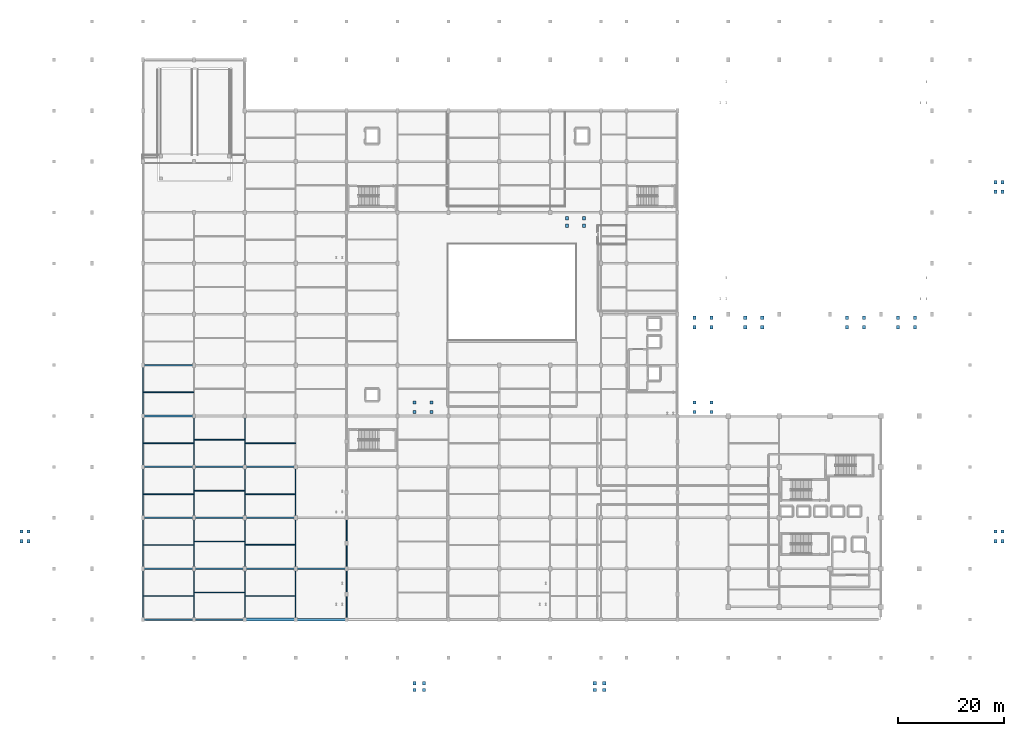
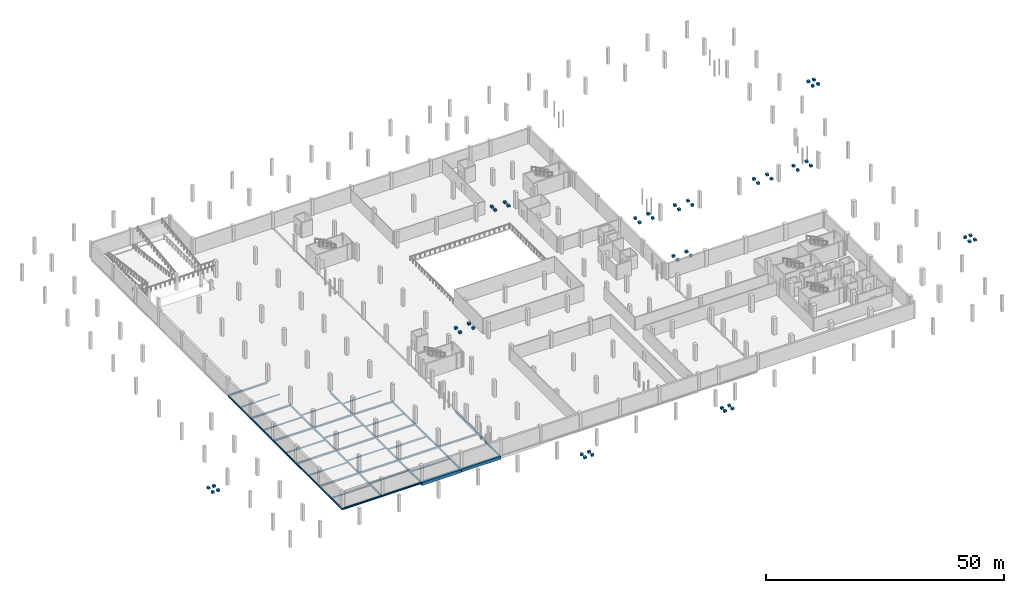
# One storey, part 25 of 47: 49 beams, 48 columns.
"""IFC4 building model written with IfcOpenShell, lengths in metres."""

from ifc_helpers import new_model, si_unit, direction, frame, origin, origin_2d, place, context, subcontext, project, spatial, rectangle, i_section, extrude, material, material_profile, profile_set, type_object, element, save


model = new_model("IFC4")

# Units and contexts
model_context = context("Model", 3, precision=1e-05, world=origin(), true_north=direction((0.0, 1.0)))
body_context = subcontext(model_context, "Body", "Model", "MODEL_VIEW")
ifc_project = project(units=[si_unit("LENGTHUNIT", "METRE"), si_unit("AREAUNIT", "SQUARE_METRE"), si_unit("VOLUMEUNIT", "CUBIC_METRE"), si_unit("PLANEANGLEUNIT", "RADIAN"), si_unit("MASSUNIT", "GRAM", prefix="KILO")], contexts=[model_context])

# Site, building, storey
site_placement = place(None, origin())
site = spatial("IfcSite", under=ifc_project, at=site_placement, CompositionType="ELEMENT")
building_placement = place(site_placement, origin())
building = spatial("IfcBuilding", under=site, at=building_placement, Name="Zevrakil Square Congress Hotel", CompositionType="ELEMENT")
storey_placement = place(building_placement, frame((0.0, 0.0, -4.199951171875)))
storey = spatial("IfcBuildingStorey", under=building, at=storey_placement, Name="B1", CompositionType="ELEMENT", Elevation=-4.199951171875)

# Columns
ifc_material_1 = material(Name="Concrete C40/50", Category="concrete")
ifc_material_profile_1 = material_profile(ifc_material_1, rectangle(XDim=0.60009765625, YDim=0.60009765625, at=origin_2d()), Name="RC 600x600")
ifc_profile_set_1 = profile_set([ifc_material_profile_1], Name="Concrete C40/50")
column_type = type_object("IfcColumnType", Name="COL-RC600", PredefinedType="COLUMN", material=ifc_profile_set_1)
for number, where, z_axis, x_axis, name in (
    (1, (68.0, 46.35009765625, 2.949951171875), (0.0, 0.0, 1.0), (1.0, 0.0, 0.0), "Exterior exit apron support pier EX-ST04-1"),
    (2, (71.199951171875, 46.35009765625, 2.949951171875), (0.0, 0.0, 1.0), (1.0, 0.0, 0.0), "Exterior exit apron support pier EX-ST04-2"),
    (3, (68.0, 48.14990234375, 2.949951171875), (0.0, 0.0, 1.0), (1.0, 0.0, 0.0), "Exterior exit apron support pier EX-ST04-3"),
    (4, (71.199951171875, 48.14990234375, 2.949951171875), (0.0, 0.0, 1.0), (1.0, 0.0, 0.0), "Exterior exit apron support pier EX-ST04-4"),
    (5, (96.800048828125, 81.5, 2.949951171875), (0.0, 0.0, 1.0), (1.0, 0.0, 0.0), "Exterior exit apron support pier EX-ST06-1"),
    (6, (100.0, 81.5, 2.949951171875), (0.0, 0.0, 1.0), (1.0, 0.0, 0.0), "Exterior exit apron support pier EX-ST06-2"),
    (7, (96.800048828125, 82.89990234375, 2.949951171875), (0.0, 0.0, 1.0), (1.0, 0.0, 0.0), "Exterior exit apron support pier EX-ST06-3"),
    (8, (100.0, 82.89990234375, 2.949951171875), (0.0, 0.0, 1.0), (1.0, 0.0, 0.0), "Exterior exit apron support pier EX-ST06-4"),
    (9, (120.800048828125, 46.35009765625, 2.949951171875), (0.0, 0.0, 1.0), (1.0, 0.0, 0.0), "Exterior exit apron support pier EX-ST07-1"),
    (10, (124.0, 46.35009765625, 2.949951171875), (0.0, 0.0, 1.0), (1.0, 0.0, 0.0), "Exterior exit apron support pier EX-ST07-2"),
    (11, (120.800048828125, 48.14990234375, 2.949951171875), (0.0, 0.0, 1.0), (1.0, 0.0, 0.0), "Exterior exit apron support pier EX-ST07-3"),
    (12, (124.0, 48.14990234375, 2.949951171875), (0.0, 0.0, 1.0), (1.0, 0.0, 0.0), "Exterior exit apron support pier EX-ST07-4"),
    (13, (120.800048828125, 62.35009765625, 2.949951171875), (0.0, 0.0, 1.0), (1.0, 0.0, 0.0), "Exterior exit apron support pier EX-ST08-1"),
    (14, (124.0, 62.35009765625, 2.949951171875), (0.0, 0.0, 1.0), (1.0, 0.0, 0.0), "Exterior exit apron support pier EX-ST08-2"),
    (15, (120.800048828125, 64.14990234375, 2.949951171875), (0.0, 0.0, 1.0), (1.0, 0.0, 0.0), "Exterior exit apron support pier EX-ST08-3"),
    (16, (124.0, 64.14990234375, 2.949951171875), (0.0, 0.0, 1.0), (1.0, 0.0, 0.0), "Exterior exit apron support pier EX-ST08-4"),
    (17, (159.199951171875, 62.35009765625, 2.949951171875), (0.0, 0.0, 1.0), (1.0, 0.0, 0.0), "Exterior exit apron support pier EX-ST09-1"),
    (18, (162.39990234375, 62.35009765625, 2.949951171875), (0.0, 0.0, 1.0), (1.0, 0.0, 0.0), "Exterior exit apron support pier EX-ST09-2"),
    (19, (159.199951171875, 64.14990234375, 2.949951171875), (0.0, 0.0, 1.0), (1.0, 0.0, 0.0), "Exterior exit apron support pier EX-ST09-3"),
    (20, (162.39990234375, 64.14990234375, 2.949951171875), (0.0, 0.0, 1.0), (1.0, 0.0, 0.0), "Exterior exit apron support pier EX-ST09-4"),
    (21, (130.39990234375, 62.35009765625, 2.949951171875), (0.0, 0.0, 1.0), (1.0, 0.0, 0.0), "Exterior exit apron support pier EX-CS01-1"),
    (22, (133.60009765625, 62.35009765625, 2.949951171875), (0.0, 0.0, 1.0), (1.0, 0.0, 0.0), "Exterior exit apron support pier EX-CS01-2"),
    (23, (130.39990234375, 64.14990234375, 2.949951171875), (0.0, 0.0, 1.0), (1.0, 0.0, 0.0), "Exterior exit apron support pier EX-CS01-3"),
    (24, (133.60009765625, 64.14990234375, 2.949951171875), (0.0, 0.0, 1.0), (1.0, 0.0, 0.0), "Exterior exit apron support pier EX-CS01-4"),
    (25, (149.60009765625, 62.35009765625, 2.949951171875), (0.0, 0.0, 1.0), (1.0, 0.0, 0.0), "Exterior exit apron support pier EX-CS02-1"),
    (26, (152.800048828125, 62.35009765625, 2.949951171875), (0.0, 0.0, 1.0), (1.0, 0.0, 0.0), "Exterior exit apron support pier EX-CS02-2"),
    (27, (149.60009765625, 64.14990234375, 2.949951171875), (0.0, 0.0, 1.0), (1.0, 0.0, 0.0), "Exterior exit apron support pier EX-CS02-3"),
    (28, (152.800048828125, 64.14990234375, 2.949951171875), (0.0, 0.0, 1.0), (1.0, 0.0, 0.0), "Exterior exit apron support pier EX-CS02-4"),
    (29, (68.0, -6.10009765625, 2.64990234375), (0.0, 0.0, 1.0), (1.0, 0.0, 0.0), "Accessible ramp apron support pier PR-01-1"),
    (30, (69.800048828125, -6.10009765625, 2.64990234375), (0.0, 0.0, 1.0), (1.0, 0.0, 0.0), "Accessible ramp apron support pier PR-01-2"),
    (31, (68.0, -4.800048828125, 2.64990234375), (0.0, 0.0, 1.0), (1.0, 0.0, 0.0), "Accessible ramp apron support pier PR-01-3"),
    (32, (69.800048828125, -4.800048828125, 2.64990234375), (0.0, 0.0, 1.0), (1.0, 0.0, 0.0), "Accessible ramp apron support pier PR-01-4"),
    (33, (102.0, -6.10009765625, 2.64990234375), (0.0, 0.0, 1.0), (1.0, 0.0, 0.0), "Accessible ramp apron support pier PR-02-1"),
    (34, (103.800048828125, -6.10009765625, 2.64990234375), (0.0, 0.0, 1.0), (1.0, 0.0, 0.0), "Accessible ramp apron support pier PR-02-2"),
    (35, (102.0, -4.800048828125, 2.64990234375), (0.0, 0.0, 1.0), (1.0, 0.0, 0.0), "Accessible ramp apron support pier PR-02-3"),
    (36, (103.800048828125, -4.800048828125, 2.64990234375), (0.0, 0.0, 1.0), (1.0, 0.0, 0.0), "Accessible ramp apron support pier PR-02-4"),
    (37, (-6.10009765625, 22.0, 2.64990234375), (0.0, 0.0, 1.0), (1.0, 0.0, 0.0), "Accessible ramp apron support pier PR-03-1"),
    (38, (-4.800048828125, 22.0, 2.64990234375), (0.0, 0.0, 1.0), (1.0, 0.0, 0.0), "Accessible ramp apron support pier PR-03-2"),
    (39, (-6.10009765625, 23.800048828125, 2.64990234375), (0.0, 0.0, 1.0), (1.0, 0.0, 0.0), "Accessible ramp apron support pier PR-03-3"),
    (40, (-4.800048828125, 23.800048828125, 2.64990234375), (0.0, 0.0, 1.0), (1.0, 0.0, 0.0), "Accessible ramp apron support pier PR-03-4"),
    (41, (177.60009765625, 22.0, 2.64990234375), (0.0, 0.0, 1.0), (1.0, 0.0, 0.0), "Accessible ramp apron support pier PR-04-1"),
    (42, (178.89990234375, 22.0, 2.64990234375), (0.0, 0.0, 1.0), (1.0, 0.0, 0.0), "Accessible ramp apron support pier PR-04-2"),
    (43, (177.60009765625, 23.800048828125, 2.64990234375), (0.0, 0.0, 1.0), (1.0, 0.0, 0.0), "Accessible ramp apron support pier PR-04-3"),
    (44, (178.89990234375, 23.800048828125, 2.64990234375), (0.0, 0.0, 1.0), (1.0, 0.0, 0.0), "Accessible ramp apron support pier PR-04-4"),
    (45, (177.60009765625, 87.89990234375, 2.64990234375), (0.0, 0.0, 1.0), (1.0, 0.0, 0.0), "Accessible ramp apron support pier PR-05-1"),
    (46, (178.89990234375, 87.89990234375, 2.64990234375), (0.0, 0.0, 1.0), (1.0, 0.0, 0.0), "Accessible ramp apron support pier PR-05-2"),
    (47, (177.60009765625, 89.699951171875, 2.64990234375), (0.0, 0.0, 1.0), (1.0, 0.0, 0.0), "Accessible ramp apron support pier PR-05-3"),
    (48, (178.89990234375, 89.699951171875, 2.64990234375), (0.0, 0.0, 1.0), (1.0, 0.0, 0.0), "Accessible ramp apron support pier PR-05-4"),
):
    element("IfcColumn", number, at=place(storey_placement, frame(where, z_axis=z_axis, x_axis=x_axis)), inside=storey, type_object=column_type, Name=name, PredefinedType="COLUMN", context=body_context, shape_type="SweptSolid", body=[
        extrude(rectangle(XDim=0.60009765625, YDim=0.60009765625, at=origin_2d()), origin(), (0.0, 0.0, 1.0), 0.5),
    ])

# Beams
ifc_material_2 = material(Name="Steel S355", Category="steel")
ifc_material_profile_2 = material_profile(ifc_material_2, i_section(OverallWidth=0.300048828125, OverallDepth=0.43994140625, WebThickness=0.011474609375, FlangeThickness=0.02099609375, FilletRadius=0.027099609375, at=origin_2d()), Name="HEA 450")
ifc_profile_set_2 = profile_set([ifc_material_profile_2], Name="Steel S355")
beam_type_1 = type_object("IfcBeamType", Name="BM-HEA450", PredefinedType="BEAM", material=ifc_profile_set_2)
beam_1_placement = place(storey_placement, frame((16.800048828125, 7.199951171875, -0.489990234375), z_axis=(1.0, 0.0, 0.0), x_axis=(0.0, 1.0, 0.0)))
element("IfcBeam", 49, at=beam_1_placement, inside=storey, type_object=beam_type_1, Name="B1 primary girder BX-0001", PredefinedType="BEAM", context=body_context, shape_type="SweptSolid", body=[
    extrude(i_section(OverallWidth=0.300048828125, OverallDepth=0.43994140625, WebThickness=0.011474609375, FlangeThickness=0.02099609375, FilletRadius=0.027099609375, at=origin_2d()), origin(), (0.0, 0.0, 1.0), 9.599853515625),
])
beam_2_placement = place(storey_placement, frame((26.39990234375, 7.199951171875, -0.489990234375), z_axis=(1.0, 0.0, 0.0), x_axis=(0.0, 1.0, 0.0)))
element("IfcBeam", 50, at=beam_2_placement, inside=storey, type_object=beam_type_1, Name="B1 primary girder BX-0002", PredefinedType="BEAM", context=body_context, shape_type="SweptSolid", body=[
    extrude(i_section(OverallWidth=0.300048828125, OverallDepth=0.43994140625, WebThickness=0.011474609375, FlangeThickness=0.02099609375, FilletRadius=0.027099609375, at=origin_2d()), origin(), (0.0, 0.0, 1.0), 9.60009765625),
])
beam_3_placement = place(storey_placement, frame((16.800048828125, 16.800048828125, -0.489990234375), z_axis=(1.0, 0.0, 0.0), x_axis=(0.0, 1.0, 0.0)))
element("IfcBeam", 51, at=beam_3_placement, inside=storey, type_object=beam_type_1, Name="B1 primary girder BX-0015", PredefinedType="BEAM", context=body_context, shape_type="SweptSolid", body=[
    extrude(i_section(OverallWidth=0.300048828125, OverallDepth=0.43994140625, WebThickness=0.011474609375, FlangeThickness=0.02099609375, FilletRadius=0.027099609375, at=origin_2d()), origin(), (0.0, 0.0, 1.0), 9.599853515625),
])
for number, where, z_axis, x_axis, name in (
    (52, (26.39990234375, 16.800048828125, -0.489990234375), (1.0, 0.0, 0.0), (0.0, 1.0, 0.0), "B1 primary girder BX-0016"),
    (53, (36.0, 16.800048828125, -0.489990234375), (1.0, 0.0, 0.0), (0.0, 1.0, 0.0), "B1 primary girder BX-0017"),
):
    element("IfcBeam", number, at=place(storey_placement, frame(where, z_axis=z_axis, x_axis=x_axis)), inside=storey, type_object=beam_type_1, Name=name, PredefinedType="BEAM", context=body_context, shape_type="SweptSolid", body=[
        extrude(i_section(OverallWidth=0.300048828125, OverallDepth=0.43994140625, WebThickness=0.011474609375, FlangeThickness=0.02099609375, FilletRadius=0.027099609375, at=origin_2d()), origin(), (0.0, 0.0, 1.0), 9.60009765625),
    ])
for number, where, z_axis, x_axis, name in (
    (54, (45.60009765625, 16.800048828125, -0.489990234375), (1.0, 0.0, 0.0), (0.0, 1.0, 0.0), "B1 primary girder BX-0018"),
    (55, (16.800048828125, 26.39990234375, -0.489990234375), (1.0, 0.0, 0.0), (0.0, 1.0, 0.0), "B1 primary girder BX-0030"),
):
    element("IfcBeam", number, at=place(storey_placement, frame(where, z_axis=z_axis, x_axis=x_axis)), inside=storey, type_object=beam_type_1, Name=name, PredefinedType="BEAM", context=body_context, shape_type="SweptSolid", body=[
        extrude(i_section(OverallWidth=0.300048828125, OverallDepth=0.43994140625, WebThickness=0.011474609375, FlangeThickness=0.02099609375, FilletRadius=0.027099609375, at=origin_2d()), origin(), (0.0, 0.0, 1.0), 9.599853515625),
    ])
for number, where, z_axis, x_axis, name in (
    (56, (26.39990234375, 26.39990234375, -0.489990234375), (1.0, 0.0, 0.0), (0.0, 1.0, 0.0), "B1 primary girder BX-0031"),
    (57, (36.0, 26.39990234375, -0.489990234375), (1.0, 0.0, 0.0), (0.0, 1.0, 0.0), "B1 primary girder BX-0032"),
):
    element("IfcBeam", number, at=place(storey_placement, frame(where, z_axis=z_axis, x_axis=x_axis)), inside=storey, type_object=beam_type_1, Name=name, PredefinedType="BEAM", context=body_context, shape_type="SweptSolid", body=[
        extrude(i_section(OverallWidth=0.300048828125, OverallDepth=0.43994140625, WebThickness=0.011474609375, FlangeThickness=0.02099609375, FilletRadius=0.027099609375, at=origin_2d()), origin(), (0.0, 0.0, 1.0), 9.60009765625),
    ])
beam_4_placement = place(storey_placement, frame((16.800048828125, 36.0, -0.489990234375), z_axis=(1.0, 0.0, 0.0), x_axis=(0.0, 1.0, 0.0)))
element("IfcBeam", 58, at=beam_4_placement, inside=storey, type_object=beam_type_1, Name="B1 primary girder BX-0043", PredefinedType="BEAM", context=body_context, shape_type="SweptSolid", body=[
    extrude(i_section(OverallWidth=0.300048828125, OverallDepth=0.43994140625, WebThickness=0.011474609375, FlangeThickness=0.02099609375, FilletRadius=0.027099609375, at=origin_2d()), origin(), (0.0, 0.0, 1.0), 9.599853515625),
])
for number, where, z_axis, x_axis, name in (
    (59, (26.39990234375, 36.0, -0.489990234375), (1.0, 0.0, 0.0), (0.0, 1.0, 0.0), "B1 primary girder BX-0044"),
    (60, (36.0, 36.0, -0.489990234375), (1.0, 0.0, 0.0), (0.0, 1.0, 0.0), "B1 primary girder BX-0045"),
):
    element("IfcBeam", number, at=place(storey_placement, frame(where, z_axis=z_axis, x_axis=x_axis)), inside=storey, type_object=beam_type_1, Name=name, PredefinedType="BEAM", context=body_context, shape_type="SweptSolid", body=[
        extrude(i_section(OverallWidth=0.300048828125, OverallDepth=0.43994140625, WebThickness=0.011474609375, FlangeThickness=0.02099609375, FilletRadius=0.027099609375, at=origin_2d()), origin(), (0.0, 0.0, 1.0), 9.60009765625),
    ])
for number, where, z_axis, x_axis, name in (
    (61, (16.800048828125, 45.60009765625, -0.489990234375), (1.0, 0.0, 0.0), (0.0, 1.0, 0.0), "B1 primary girder BX-0056"),
    (62, (16.800048828125, 55.199951171875, -0.489990234375), (1.0, 0.0, 0.0), (0.0, 1.0, 0.0), "B1 primary girder BX-0071"),
):
    element("IfcBeam", number, at=place(storey_placement, frame(where, z_axis=z_axis, x_axis=x_axis)), inside=storey, type_object=beam_type_1, Name=name, PredefinedType="BEAM", context=body_context, shape_type="SweptSolid", body=[
        extrude(i_section(OverallWidth=0.300048828125, OverallDepth=0.43994140625, WebThickness=0.011474609375, FlangeThickness=0.02099609375, FilletRadius=0.027099609375, at=origin_2d()), origin(), (0.0, 0.0, 1.0), 9.599853515625),
    ])
ifc_material_3 = material(Name="Steel S355", Category="steel")
ifc_material_profile_3 = material_profile(ifc_material_3, i_section(OverallWidth=0.18994140625, OverallDepth=0.449951171875, WebThickness=0.009521484375, FlangeThickness=0.0146484375, FilletRadius=0.02099609375, at=origin_2d()), Name="IPE 450")
ifc_profile_set_3 = profile_set([ifc_material_profile_3], Name="Steel S355")
beam_type_2 = type_object("IfcBeamType", Name="BM-IPE450", PredefinedType="BEAM", material=ifc_profile_set_3)
for number, where, z_axis, x_axis, name in (
    (63, (55.199951171875, 7.199951171875, -0.4951171875), (0.0, 1.0, 0.0), (-1.0, 0.0, 0.0), "B1 primary girder BY-0167"),
    (64, (55.199951171875, 12.0, -0.4951171875), (0.0, 1.0, 0.0), (-1.0, 0.0, 0.0), "B1 primary girder BY-0168"),
    (65, (55.199951171875, 16.800048828125, -0.4951171875), (0.0, 1.0, 0.0), (-1.0, 0.0, 0.0), "B1 primary girder BY-0169"),
):
    element("IfcBeam", number, at=place(storey_placement, frame(where, z_axis=z_axis, x_axis=x_axis)), inside=storey, type_object=beam_type_2, Name=name, PredefinedType="BEAM", context=body_context, shape_type="SweptSolid", body=[
        extrude(i_section(OverallWidth=0.18994140625, OverallDepth=0.449951171875, WebThickness=0.009521484375, FlangeThickness=0.0146484375, FilletRadius=0.02099609375, at=origin_2d()), origin(), (0.0, 0.0, 1.0), 4.800048828125),
    ])
beam_5_placement = place(storey_placement, frame((55.199951171875, 21.60009765625, -0.4951171875), z_axis=(0.0, 1.0, 0.0), x_axis=(-1.0, 0.0, 0.0)))
element("IfcBeam", 66, at=beam_5_placement, inside=storey, type_object=beam_type_2, Name="B1 primary girder BY-0170", PredefinedType="BEAM", context=body_context, shape_type="SweptSolid", body=[
    extrude(i_section(OverallWidth=0.18994140625, OverallDepth=0.449951171875, WebThickness=0.009521484375, FlangeThickness=0.0146484375, FilletRadius=0.02099609375, at=origin_2d()), origin(), (0.0, 0.0, 1.0), 4.7998046875),
])
ifc_material_4 = material(Name="Steel S355", Category="steel")
ifc_material_profile_4 = material_profile(ifc_material_4, i_section(OverallWidth=0.199951171875, OverallDepth=0.5, WebThickness=0.01025390625, FlangeThickness=0.01611328125, FilletRadius=0.02099609375, at=origin_2d()), Name="IPE 500")
ifc_profile_set_4 = profile_set([ifc_material_profile_4], Name="Steel S355")
beam_type_3 = type_object("IfcBeamType", Name="BM-IPE500", PredefinedType="BEAM", material=ifc_profile_set_4)
beam_6_placement = place(storey_placement, frame((16.800048828125, 7.199951171875, -0.52001953125), z_axis=(0.0, 1.0, 0.0), x_axis=(-1.0, 0.0, 0.0)))
element("IfcBeam", 67, at=beam_6_placement, inside=storey, type_object=beam_type_3, Name="B1 primary girder BY-0127", PredefinedType="BEAM", context=body_context, shape_type="SweptSolid", body=[
    extrude(i_section(OverallWidth=0.199951171875, OverallDepth=0.5, WebThickness=0.01025390625, FlangeThickness=0.01611328125, FilletRadius=0.02099609375, at=origin_2d()), origin(), (0.0, 0.0, 1.0), 9.60009765625),
])
beam_7_placement = place(storey_placement, frame((16.800048828125, 16.800048828125, -0.52001953125), z_axis=(0.0, 1.0, 0.0), x_axis=(-1.0, 0.0, 0.0)))
element("IfcBeam", 68, at=beam_7_placement, inside=storey, type_object=beam_type_3, Name="B1 primary girder BY-0128", PredefinedType="BEAM", context=body_context, shape_type="SweptSolid", body=[
    extrude(i_section(OverallWidth=0.199951171875, OverallDepth=0.5, WebThickness=0.01025390625, FlangeThickness=0.01611328125, FilletRadius=0.02099609375, at=origin_2d()), origin(), (0.0, 0.0, 1.0), 9.599853515625),
])
for number, where, z_axis, x_axis, name in (
    (69, (16.800048828125, 26.39990234375, -0.52001953125), (0.0, 1.0, 0.0), (-1.0, 0.0, 0.0), "B1 primary girder BY-0129"),
    (70, (16.800048828125, 36.0, -0.52001953125), (0.0, 1.0, 0.0), (-1.0, 0.0, 0.0), "B1 primary girder BY-0130"),
):
    element("IfcBeam", number, at=place(storey_placement, frame(where, z_axis=z_axis, x_axis=x_axis)), inside=storey, type_object=beam_type_3, Name=name, PredefinedType="BEAM", context=body_context, shape_type="SweptSolid", body=[
        extrude(i_section(OverallWidth=0.199951171875, OverallDepth=0.5, WebThickness=0.01025390625, FlangeThickness=0.01611328125, FilletRadius=0.02099609375, at=origin_2d()), origin(), (0.0, 0.0, 1.0), 9.60009765625),
    ])
beam_8_placement = place(storey_placement, frame((16.800048828125, 45.60009765625, -0.52001953125), z_axis=(0.0, 1.0, 0.0), x_axis=(-1.0, 0.0, 0.0)))
element("IfcBeam", 71, at=beam_8_placement, inside=storey, type_object=beam_type_3, Name="B1 primary girder BY-0131", PredefinedType="BEAM", context=body_context, shape_type="SweptSolid", body=[
    extrude(i_section(OverallWidth=0.199951171875, OverallDepth=0.5, WebThickness=0.01025390625, FlangeThickness=0.01611328125, FilletRadius=0.02099609375, at=origin_2d()), origin(), (0.0, 0.0, 1.0), 9.599853515625),
])
beam_9_placement = place(storey_placement, frame((26.39990234375, 7.199951171875, -0.52001953125), z_axis=(0.0, 1.0, 0.0), x_axis=(-1.0, 0.0, 0.0)))
element("IfcBeam", 72, at=beam_9_placement, inside=storey, type_object=beam_type_3, Name="B1 primary girder BY-0138", PredefinedType="BEAM", context=body_context, shape_type="SweptSolid", body=[
    extrude(i_section(OverallWidth=0.199951171875, OverallDepth=0.5, WebThickness=0.01025390625, FlangeThickness=0.01611328125, FilletRadius=0.02099609375, at=origin_2d()), origin(), (0.0, 0.0, 1.0), 9.60009765625),
])
beam_10_placement = place(storey_placement, frame((26.39990234375, 16.800048828125, -0.52001953125), z_axis=(0.0, 1.0, 0.0), x_axis=(-1.0, 0.0, 0.0)))
element("IfcBeam", 73, at=beam_10_placement, inside=storey, type_object=beam_type_3, Name="B1 primary girder BY-0139", PredefinedType="BEAM", context=body_context, shape_type="SweptSolid", body=[
    extrude(i_section(OverallWidth=0.199951171875, OverallDepth=0.5, WebThickness=0.01025390625, FlangeThickness=0.01611328125, FilletRadius=0.02099609375, at=origin_2d()), origin(), (0.0, 0.0, 1.0), 9.599853515625),
])
for number, where, z_axis, x_axis, name in (
    (74, (26.39990234375, 26.39990234375, -0.52001953125), (0.0, 1.0, 0.0), (-1.0, 0.0, 0.0), "B1 primary girder BY-0140"),
    (75, (26.39990234375, 36.0, -0.52001953125), (0.0, 1.0, 0.0), (-1.0, 0.0, 0.0), "B1 primary girder BY-0141"),
    (76, (36.0, 7.199951171875, -0.52001953125), (0.0, 1.0, 0.0), (-1.0, 0.0, 0.0), "B1 primary girder BY-0146"),
):
    element("IfcBeam", number, at=place(storey_placement, frame(where, z_axis=z_axis, x_axis=x_axis)), inside=storey, type_object=beam_type_3, Name=name, PredefinedType="BEAM", context=body_context, shape_type="SweptSolid", body=[
        extrude(i_section(OverallWidth=0.199951171875, OverallDepth=0.5, WebThickness=0.01025390625, FlangeThickness=0.01611328125, FilletRadius=0.02099609375, at=origin_2d()), origin(), (0.0, 0.0, 1.0), 9.60009765625),
    ])
beam_11_placement = place(storey_placement, frame((36.0, 16.800048828125, -0.52001953125), z_axis=(0.0, 1.0, 0.0), x_axis=(-1.0, 0.0, 0.0)))
element("IfcBeam", 77, at=beam_11_placement, inside=storey, type_object=beam_type_3, Name="B1 primary girder BY-0147", PredefinedType="BEAM", context=body_context, shape_type="SweptSolid", body=[
    extrude(i_section(OverallWidth=0.199951171875, OverallDepth=0.5, WebThickness=0.01025390625, FlangeThickness=0.01611328125, FilletRadius=0.02099609375, at=origin_2d()), origin(), (0.0, 0.0, 1.0), 9.599853515625),
])
for number, where, z_axis, x_axis, name in (
    (78, (36.0, 26.39990234375, -0.52001953125), (0.0, 1.0, 0.0), (-1.0, 0.0, 0.0), "B1 primary girder BY-0148"),
    (79, (36.0, 36.0, -0.52001953125), (0.0, 1.0, 0.0), (-1.0, 0.0, 0.0), "B1 primary girder BY-0149"),
    (80, (45.60009765625, 7.199951171875, -0.52001953125), (0.0, 1.0, 0.0), (-1.0, 0.0, 0.0), "B1 primary girder BY-0157"),
):
    element("IfcBeam", number, at=place(storey_placement, frame(where, z_axis=z_axis, x_axis=x_axis)), inside=storey, type_object=beam_type_3, Name=name, PredefinedType="BEAM", context=body_context, shape_type="SweptSolid", body=[
        extrude(i_section(OverallWidth=0.199951171875, OverallDepth=0.5, WebThickness=0.01025390625, FlangeThickness=0.01611328125, FilletRadius=0.02099609375, at=origin_2d()), origin(), (0.0, 0.0, 1.0), 9.60009765625),
    ])
beam_12_placement = place(storey_placement, frame((45.60009765625, 16.800048828125, -0.52001953125), z_axis=(0.0, 1.0, 0.0), x_axis=(-1.0, 0.0, 0.0)))
element("IfcBeam", 81, at=beam_12_placement, inside=storey, type_object=beam_type_3, Name="B1 primary girder BY-0158", PredefinedType="BEAM", context=body_context, shape_type="SweptSolid", body=[
    extrude(i_section(OverallWidth=0.199951171875, OverallDepth=0.5, WebThickness=0.01025390625, FlangeThickness=0.01611328125, FilletRadius=0.02099609375, at=origin_2d()), origin(), (0.0, 0.0, 1.0), 9.599853515625),
])
beam_13_placement = place(storey_placement, frame((45.60009765625, 26.39990234375, -0.52001953125), z_axis=(0.0, 1.0, 0.0), x_axis=(-1.0, 0.0, 0.0)))
element("IfcBeam", 82, at=beam_13_placement, inside=storey, type_object=beam_type_3, Name="B1 primary girder BY-0159", PredefinedType="BEAM", context=body_context, shape_type="SweptSolid", body=[
    extrude(i_section(OverallWidth=0.199951171875, OverallDepth=0.5, WebThickness=0.01025390625, FlangeThickness=0.01611328125, FilletRadius=0.02099609375, at=origin_2d()), origin(), (0.0, 0.0, 1.0), 9.60009765625),
])
ifc_material_5 = material(Name="Concrete C40/50", Category="concrete")
ifc_material_profile_5 = material_profile(ifc_material_5, rectangle(XDim=0.5, YDim=0.75, at=origin_2d()), Name="RC 500x750")
ifc_profile_set_5 = profile_set([ifc_material_profile_5], Name="Concrete C40/50")
beam_type_4 = type_object("IfcBeamType", Name="BM-RC500x750", PredefinedType="BEAM", material=ifc_profile_set_5)
beam_14_placement = place(storey_placement, frame((45.60009765625, 7.199951171875, -0.64501953125), z_axis=(1.0, 0.0, 0.0), x_axis=(0.0, 1.0, 0.0)))
element("IfcBeam", 83, at=beam_14_placement, inside=storey, type_object=beam_type_4, Name="B1 primary girder BX-0004", PredefinedType="BEAM", context=body_context, shape_type="SweptSolid", body=[
    extrude(rectangle(XDim=0.5, YDim=0.75, at=origin_2d()), origin(), (0.0, 0.0, 1.0), 9.599853515625),
])
ifc_material_6 = material(Name="Concrete C40/50", Category="concrete")
ifc_material_profile_6 = material_profile(ifc_material_6, rectangle(XDim=0.60009765625, YDim=0.800048828125, at=origin_2d()), Name="RC 600x800")
ifc_profile_set_6 = profile_set([ifc_material_profile_6], Name="Concrete C40/50")
beam_type_5 = type_object("IfcBeamType", Name="BM-RC600x800", PredefinedType="BEAM", material=ifc_profile_set_6)
beam_15_placement = place(storey_placement, frame((36.0, 7.199951171875, -0.670166015625), z_axis=(1.0, 0.0, 0.0), x_axis=(0.0, 1.0, 0.0)))
element("IfcBeam", 84, at=beam_15_placement, inside=storey, type_object=beam_type_5, Name="B1 primary girder BX-0003", PredefinedType="BEAM", context=body_context, shape_type="SweptSolid", body=[
    extrude(rectangle(XDim=0.60009765625, YDim=0.800048828125, at=origin_2d()), origin(), (0.0, 0.0, 1.0), 9.60009765625),
])
ifc_material_7 = material(Name="Steel S355", Category="steel")
ifc_material_profile_7 = material_profile(ifc_material_7, i_section(OverallWidth=0.1201171875, OverallDepth=0.239990234375, WebThickness=0.006103515625, FlangeThickness=0.009765625, FilletRadius=0.014892578125, at=origin_2d()), Name="IPE 240")
ifc_profile_set_7 = profile_set([ifc_material_profile_7], Name="Steel S355")
beam_type_6 = type_object("IfcBeamType", Name="JST-IPE240", PredefinedType="JOIST", material=ifc_profile_set_7)
beam_16_placement = place(storey_placement, frame((16.820068359375, 21.280029296875, -0.39013671875), z_axis=(1.0, 0.0, 0.0), x_axis=(0.0, 1.0, 0.0)))
element("IfcBeam", 85, at=beam_16_placement, inside=storey, type_object=beam_type_6, Name="B1 composite floor joist J-0002", PredefinedType="JOIST", context=body_context, shape_type="SweptSolid", body=[
    extrude(i_section(OverallWidth=0.1201171875, OverallDepth=0.239990234375, WebThickness=0.006103515625, FlangeThickness=0.009765625, FilletRadius=0.014892578125, at=origin_2d()), origin(), (0.0, 0.0, 1.0), 9.559814453125),
])
for number, where, z_axis, x_axis, name in (
    (86, (26.419921875, 41.1201171875, -0.39013671875), (1.0, 0.0, 0.0), (0.0, 1.0, 0.0), "B1 composite floor joist J-0012"),
    (87, (36.02001953125, 11.679931640625, -0.39013671875), (1.0, 0.0, 0.0), (0.0, 1.0, 0.0), "B1 composite floor joist J-0017"),
):
    element("IfcBeam", number, at=place(storey_placement, frame(where, z_axis=z_axis, x_axis=x_axis)), inside=storey, type_object=beam_type_6, Name=name, PredefinedType="JOIST", context=body_context, shape_type="SweptSolid", body=[
        extrude(i_section(OverallWidth=0.1201171875, OverallDepth=0.239990234375, WebThickness=0.006103515625, FlangeThickness=0.009765625, FilletRadius=0.014892578125, at=origin_2d()), origin(), (0.0, 0.0, 1.0), 9.56005859375),
    ])
ifc_material_8 = material(Name="Steel S355", Category="steel")
ifc_material_profile_8 = material_profile(ifc_material_8, i_section(OverallWidth=0.135009765625, OverallDepth=0.27001953125, WebThickness=0.006591796875, FlangeThickness=0.01025390625, FilletRadius=0.014892578125, at=origin_2d()), Name="IPE 270")
ifc_profile_set_8 = profile_set([ifc_material_profile_8], Name="Steel S355")
beam_type_7 = type_object("IfcBeamType", Name="JST-IPE270", PredefinedType="JOIST", material=ifc_profile_set_8)
beam_17_placement = place(storey_placement, frame((16.820068359375, 11.679931640625, -0.405029296875), z_axis=(1.0, 0.0, 0.0), x_axis=(0.0, 1.0, 0.0)))
element("IfcBeam", 88, at=beam_17_placement, inside=storey, type_object=beam_type_7, Name="B1 composite floor joist J-0001", PredefinedType="JOIST", context=body_context, shape_type="SweptSolid", body=[
    extrude(i_section(OverallWidth=0.135009765625, OverallDepth=0.27001953125, WebThickness=0.006591796875, FlangeThickness=0.01025390625, FilletRadius=0.014892578125, at=origin_2d()), origin(), (0.0, 0.0, 1.0), 9.559814453125),
])
beam_18_placement = place(storey_placement, frame((26.419921875, 31.52001953125, -0.405029296875), z_axis=(1.0, 0.0, 0.0), x_axis=(0.0, 1.0, 0.0)))
element("IfcBeam", 89, at=beam_18_placement, inside=storey, type_object=beam_type_7, Name="B1 composite floor joist J-0011", PredefinedType="JOIST", context=body_context, shape_type="SweptSolid", body=[
    extrude(i_section(OverallWidth=0.135009765625, OverallDepth=0.27001953125, WebThickness=0.006591796875, FlangeThickness=0.01025390625, FilletRadius=0.014892578125, at=origin_2d()), origin(), (0.0, 0.0, 1.0), 9.56005859375),
])
ifc_material_9 = material(Name="Steel S355", Category="steel")
ifc_material_profile_9 = material_profile(ifc_material_9, i_section(OverallWidth=0.14990234375, OverallDepth=0.300048828125, WebThickness=0.007080078125, FlangeThickness=0.0107421875, FilletRadius=0.014892578125, at=origin_2d()), Name="IPE 300")
ifc_profile_set_9 = profile_set([ifc_material_profile_9], Name="Steel S355")
beam_type_8 = type_object("IfcBeamType", Name="JST-IPE300", PredefinedType="JOIST", material=ifc_profile_set_9)
beam_19_placement = place(storey_placement, frame((16.820068359375, 50.080078125, -0.420166015625), z_axis=(1.0, 0.0, 0.0), x_axis=(0.0, 1.0, 0.0)))
element("IfcBeam", 90, at=beam_19_placement, inside=storey, type_object=beam_type_8, Name="B1 composite floor joist J-0005", PredefinedType="JOIST", context=body_context, shape_type="SweptSolid", body=[
    extrude(i_section(OverallWidth=0.14990234375, OverallDepth=0.300048828125, WebThickness=0.007080078125, FlangeThickness=0.0107421875, FilletRadius=0.014892578125, at=origin_2d()), origin(), (0.0, 0.0, 1.0), 9.559814453125),
])
for number, where, z_axis, x_axis, name in (
    (91, (26.419921875, 21.919921875, -0.420166015625), (1.0, 0.0, 0.0), (0.0, 1.0, 0.0), "B1 composite floor joist J-0010"),
    (92, (36.02001953125, 40.47998046875, -0.420166015625), (1.0, 0.0, 0.0), (0.0, 1.0, 0.0), "B1 composite floor joist J-0020"),
):
    element("IfcBeam", number, at=place(storey_placement, frame(where, z_axis=z_axis, x_axis=x_axis)), inside=storey, type_object=beam_type_8, Name=name, PredefinedType="JOIST", context=body_context, shape_type="SweptSolid", body=[
        extrude(i_section(OverallWidth=0.14990234375, OverallDepth=0.300048828125, WebThickness=0.007080078125, FlangeThickness=0.0107421875, FilletRadius=0.014892578125, at=origin_2d()), origin(), (0.0, 0.0, 1.0), 9.56005859375),
    ])
ifc_material_10 = material(Name="Steel S355", Category="steel")
ifc_material_profile_10 = material_profile(ifc_material_10, i_section(OverallWidth=0.169921875, OverallDepth=0.360107421875, WebThickness=0.008056640625, FlangeThickness=0.0126953125, FilletRadius=0.01806640625, at=origin_2d()), Name="IPE 360")
ifc_profile_set_10 = profile_set([ifc_material_profile_10], Name="Steel S355")
beam_type_9 = type_object("IfcBeamType", Name="JST-IPE360", PredefinedType="JOIST", material=ifc_profile_set_10)
beam_20_placement = place(storey_placement, frame((16.820068359375, 40.47998046875, -0.449951171875), z_axis=(1.0, 0.0, 0.0), x_axis=(0.0, 1.0, 0.0)))
element("IfcBeam", 93, at=beam_20_placement, inside=storey, type_object=beam_type_9, Name="B1 composite floor joist J-0004", PredefinedType="JOIST", context=body_context, shape_type="SweptSolid", body=[
    extrude(i_section(OverallWidth=0.169921875, OverallDepth=0.360107421875, WebThickness=0.008056640625, FlangeThickness=0.0126953125, FilletRadius=0.01806640625, at=origin_2d()), origin(), (0.0, 0.0, 1.0), 9.559814453125),
])
for number, where, z_axis, x_axis, name in (
    (94, (26.419921875, 12.320068359375, -0.449951171875), (1.0, 0.0, 0.0), (0.0, 1.0, 0.0), "B1 composite floor joist J-0009"),
    (95, (36.02001953125, 30.8798828125, -0.449951171875), (1.0, 0.0, 0.0), (0.0, 1.0, 0.0), "B1 composite floor joist J-0019"),
):
    element("IfcBeam", number, at=place(storey_placement, frame(where, z_axis=z_axis, x_axis=x_axis)), inside=storey, type_object=beam_type_9, Name=name, PredefinedType="JOIST", context=body_context, shape_type="SweptSolid", body=[
        extrude(i_section(OverallWidth=0.169921875, OverallDepth=0.360107421875, WebThickness=0.008056640625, FlangeThickness=0.0126953125, FilletRadius=0.01806640625, at=origin_2d()), origin(), (0.0, 0.0, 1.0), 9.56005859375),
    ])
ifc_material_11 = material(Name="Steel S355", Category="steel")
ifc_material_profile_11 = material_profile(ifc_material_11, i_section(OverallWidth=0.179931640625, OverallDepth=0.39990234375, WebThickness=0.008544921875, FlangeThickness=0.013427734375, FilletRadius=0.02099609375, at=origin_2d()), Name="IPE 400")
ifc_profile_set_11 = profile_set([ifc_material_profile_11], Name="Steel S355")
beam_type_10 = type_object("IfcBeamType", Name="JST-IPE400", PredefinedType="JOIST", material=ifc_profile_set_11)
beam_21_placement = place(storey_placement, frame((16.820068359375, 30.8798828125, -0.469970703125), z_axis=(1.0, 0.0, 0.0), x_axis=(0.0, 1.0, 0.0)))
element("IfcBeam", 96, at=beam_21_placement, inside=storey, type_object=beam_type_10, Name="B1 composite floor joist J-0003", PredefinedType="JOIST", context=body_context, shape_type="SweptSolid", body=[
    extrude(i_section(OverallWidth=0.179931640625, OverallDepth=0.39990234375, WebThickness=0.008544921875, FlangeThickness=0.013427734375, FilletRadius=0.02099609375, at=origin_2d()), origin(), (0.0, 0.0, 1.0), 9.559814453125),
])
beam_22_placement = place(storey_placement, frame((36.02001953125, 21.280029296875, -0.469970703125), z_axis=(1.0, 0.0, 0.0), x_axis=(0.0, 1.0, 0.0)))
element("IfcBeam", 97, at=beam_22_placement, inside=storey, type_object=beam_type_10, Name="B1 composite floor joist J-0018", PredefinedType="JOIST", context=body_context, shape_type="SweptSolid", body=[
    extrude(i_section(OverallWidth=0.179931640625, OverallDepth=0.39990234375, WebThickness=0.008544921875, FlangeThickness=0.013427734375, FilletRadius=0.02099609375, at=origin_2d()), origin(), (0.0, 0.0, 1.0), 9.56005859375),
])

save(model, "model.ifc")
